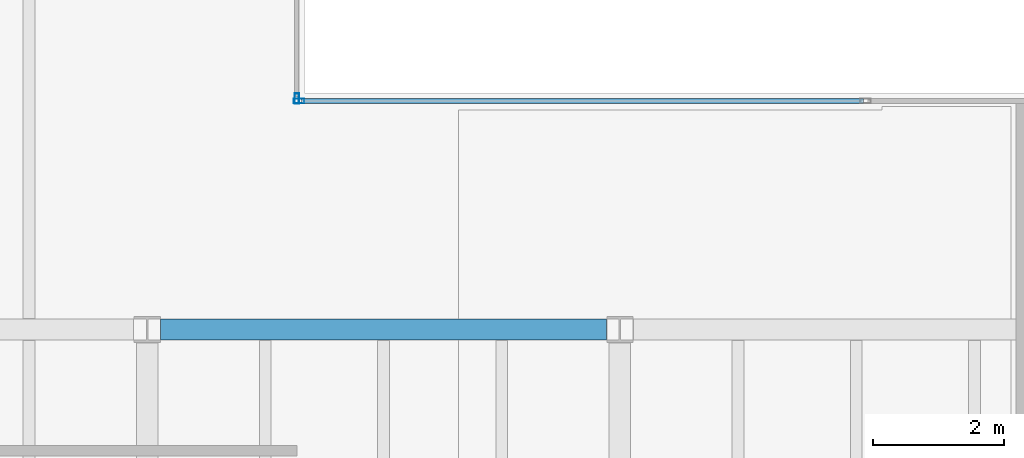
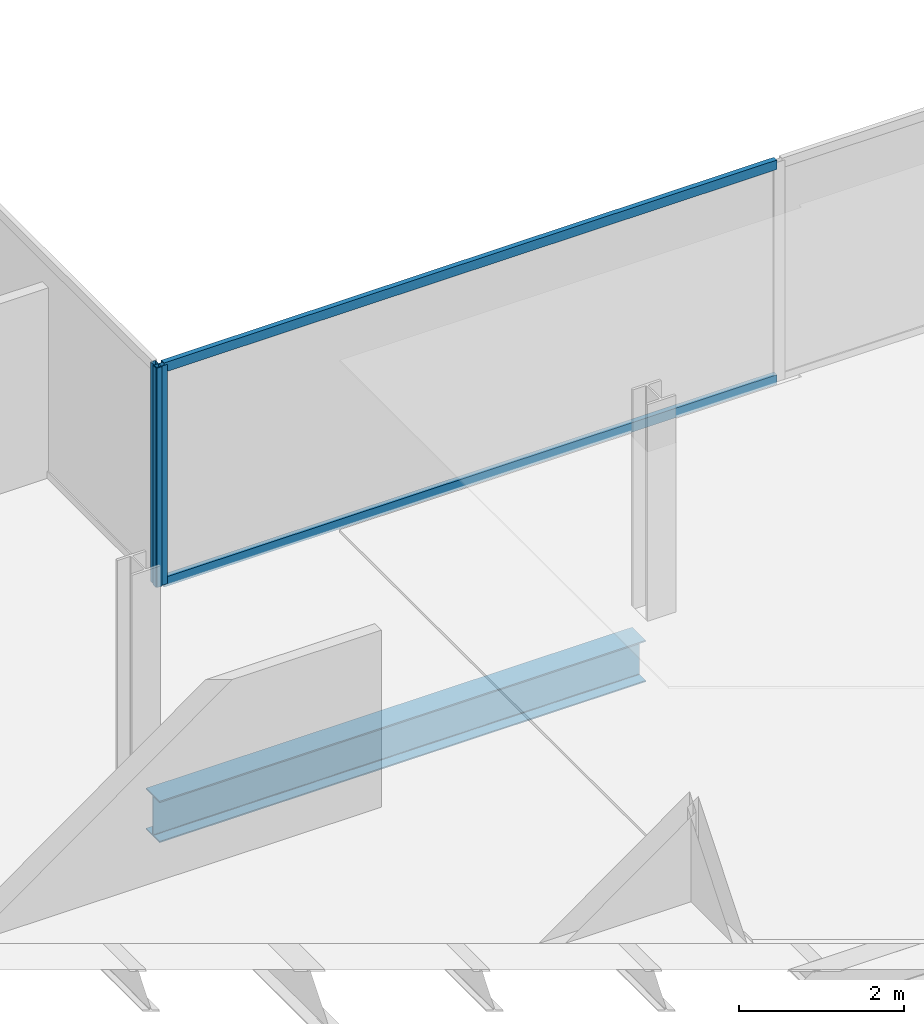
# One storey, part 8 of 23: 4 members, 1 beam, 2 elements without a shape of their own.
"""IFC4 building model written with IfcOpenShell, lengths in metres."""

from ifc_helpers import new_model, si_unit, direction, frame, origin, origin_2d, place, context, subcontext, project, spatial, hollow_rectangle, i_section, extrude, material, material_profile, profile_set, type_object, element, aggregate, save


model = new_model("IFC4")

# Units and contexts
model_context = context("Model", 3, precision=1e-05, world=origin(), true_north=direction((0.0, 1.0)))
body_context = subcontext(model_context, "Body", "Model", "MODEL_VIEW")
ifc_project = project(units=[si_unit("LENGTHUNIT", "METRE"), si_unit("AREAUNIT", "SQUARE_METRE"), si_unit("VOLUMEUNIT", "CUBIC_METRE"), si_unit("PLANEANGLEUNIT", "RADIAN"), si_unit("MASSUNIT", "GRAM", prefix="KILO")], contexts=[model_context])

# Site, building, storey
site_placement = place(None, origin())
site = spatial("IfcSite", under=ifc_project, at=site_placement, CompositionType="ELEMENT")
building_placement = place(site_placement, origin())
building = spatial("IfcBuilding", under=site, at=building_placement, Name="Cobrela Telecom Tower", CompositionType="ELEMENT")
storey_placement = place(building_placement, frame((0.0, 0.0, 218.75)))
storey = spatial("IfcBuildingStorey", under=building, at=storey_placement, Name="L56", CompositionType="ELEMENT", Elevation=218.75)

# Beam
ifc_material_1 = material(Name="Steel ASTM A992 Grade 50", Category="steel")
ifc_material_profile_1 = material_profile(ifc_material_1, i_section(OverallWidth=0.324951171875, OverallDepth=0.612060546875, WebThickness=0.0126953125, FlangeThickness=0.01904296875, FilletRadius=0.014892578125, at=origin_2d()), Name="W24X104")
ifc_profile_set_1 = profile_set([ifc_material_profile_1], Name="Steel ASTM A992 Grade 50")
beam_type = type_object("IfcBeamType", Name="BM-GIRD-07", PredefinedType="USERDEFINED", material=ifc_profile_set_1)
beam_placement = place(storey_placement, frame((21.804443359375, 21.60009765625, -0.56591796875), z_axis=(1.0, 0.0, 0.0), x_axis=(0.0, 1.0, 0.0)))
element("IfcBeam", 1, at=beam_placement, inside=storey, type_object=beam_type, Name="L56 Primary Girder X16", ObjectType="GIRDER", PredefinedType="USERDEFINED", context=body_context, shape_type="SweptSolid", body=[
    extrude(i_section(OverallWidth=0.324951171875, OverallDepth=0.612060546875, WebThickness=0.0126953125, FlangeThickness=0.01904296875, FilletRadius=0.014892578125, at=origin_2d()), origin(), (0.0, 0.0, 1.0), 6.791015625),
])

# Curtain wall, member
ifc_material_2 = material(Name="Anodized Bronze Aluminium 6063-T6", Category="aluminium")
curtain_wall_type = type_object("IfcCurtainWallType", Name="CW-SYS-OFF-LO", PredefinedType="USERDEFINED", material=ifc_material_2)
curtain_wall_1_placement = place(storey_placement, origin())
curtain_wall_1 = element("IfcCurtainWall", 2, at=curtain_wall_1_placement, inside=storey, type_object=curtain_wall_type, Name="L56 Unitised Bronze Curtain Wall 10", ObjectType="UNITISED CURTAIN WALL", PredefinedType="USERDEFINED")
ifc_material_profile_2 = material_profile(ifc_material_2, hollow_rectangle(XDim=0.070068359375, YDim=0.159912109375, WallThickness=0.00390625, at=origin_2d()), Name="ALU 70x160x4")
ifc_profile_set_2 = profile_set([ifc_material_profile_2], Name="Anodized Bronze Aluminium 6063-T6")
member_type_1 = type_object("IfcMemberType", Name="CW-SYS-OFF-LO-MUL", PredefinedType="MULLION", material=ifc_profile_set_2)
member_1_placement = place(storey_placement, frame((23.8798828125, 25.114990234375, 0.0), z_axis=(0.0, 0.0, 1.0), x_axis=(1.0, 0.0, 0.0)))
member_1 = element("IfcMember", 3, at=member_1_placement, type_object=member_type_1, Name="CW-OFF-LO mullion 3", PredefinedType="MULLION", context=body_context, shape_type="SweptSolid", body=[
    extrude(hollow_rectangle(XDim=0.070068359375, YDim=0.159912109375, WallThickness=0.00390625, at=origin_2d()), origin(), (0.0, 0.0, 1.0), 3.239990234375),
])
aggregate(curtain_wall_1, [member_1])

# Curtain wall, members
curtain_wall_2_placement = place(storey_placement, origin())
curtain_wall_2 = element("IfcCurtainWall", 4, at=curtain_wall_2_placement, inside=storey, type_object=curtain_wall_type, Name="L56 Unitised Bronze Curtain Wall 11", ObjectType="UNITISED CURTAIN WALL", PredefinedType="USERDEFINED")
member_2_placement = place(storey_placement, frame((23.9150390625, 25.080078125, 0.0), z_axis=(0.0, 0.0, 1.0), x_axis=(0.0, 1.0, 0.0)))
member_2 = element("IfcMember", 5, at=member_2_placement, type_object=member_type_1, Name="CW-OFF-LO mullion 1", PredefinedType="MULLION", context=body_context, shape_type="SweptSolid", body=[
    extrude(hollow_rectangle(XDim=0.070068359375, YDim=0.159912109375, WallThickness=0.00390625, at=origin_2d()), origin(), (0.0, 0.0, 1.0), 3.239990234375),
])
ifc_material_profile_3 = material_profile(ifc_material_2, hollow_rectangle(XDim=0.070068359375, YDim=0.139892578125, WallThickness=0.00390625, at=origin_2d()), Name="ALU 70x140x4")
ifc_profile_set_3 = profile_set([ifc_material_profile_3], Name="Anodized Bronze Aluminium 6063-T6")
member_type_2 = type_object("IfcMemberType", Name="CW-SYS-OFF-LO-TRN", PredefinedType="USERDEFINED", material=ifc_profile_set_3)
member_3_placement = place(storey_placement, frame((23.949951171875, 25.080078125, 0.034912109375), z_axis=(1.0, 0.0, 0.0), x_axis=(0.0, 1.0, 0.0)))
member_3 = element("IfcMember", 6, at=member_3_placement, type_object=member_type_2, Name="CW-OFF-LO transom 1.1", ObjectType="TRANSOM", PredefinedType="USERDEFINED", context=body_context, shape_type="SweptSolid", body=[
    extrude(hollow_rectangle(XDim=0.070068359375, YDim=0.139892578125, WallThickness=0.00390625, at=origin_2d()), origin(), (0.0, 0.0, 1.0), 8.56005859375),
])
member_4_placement = place(storey_placement, frame((23.949951171875, 25.080078125, 3.205078125), z_axis=(1.0, 0.0, 0.0), x_axis=(0.0, 1.0, 0.0)))
member_4 = element("IfcMember", 7, at=member_4_placement, type_object=member_type_2, Name="CW-OFF-LO transom 1.2", ObjectType="TRANSOM", PredefinedType="USERDEFINED", context=body_context, shape_type="SweptSolid", body=[
    extrude(hollow_rectangle(XDim=0.070068359375, YDim=0.139892578125, WallThickness=0.00390625, at=origin_2d()), origin(), (0.0, 0.0, 1.0), 8.56005859375),
])
aggregate(curtain_wall_2, [member_2, member_3, member_4])

save(model, "model.ifc")
